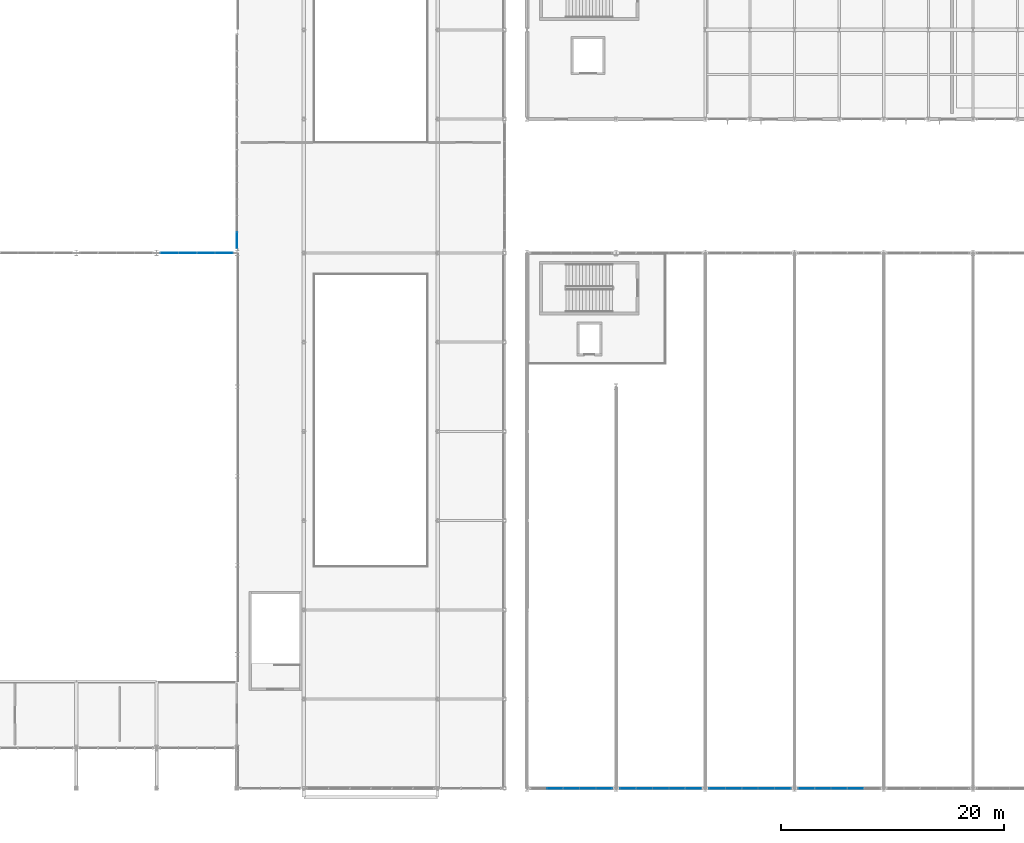
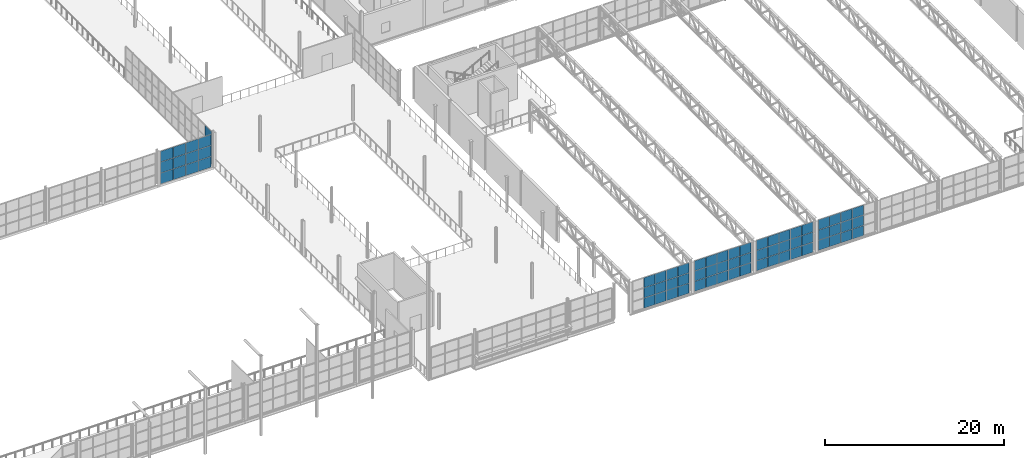
# One storey, part 108 of 143: 69 plates, 6 elements without a shape of their own.
"""IFC4 building model written with IfcOpenShell, lengths in metres."""

from ifc_helpers import new_model, si_unit, derived_unit, direction, frame, origin, origin_2d, place, context, subcontext, project, spatial, rectangle, extrude, material, layer, layer_set, type_object, element, aggregate, save


model = new_model("IFC4")

# Units and contexts
model_context = context("Model", 3, precision=1e-05, world=origin(), true_north=direction((0.0, 1.0)))
body_context = subcontext(model_context, "Body", "Model", "MODEL_VIEW")
ifc_project = project(units=[si_unit("LENGTHUNIT", "METRE"), si_unit("AREAUNIT", "SQUARE_METRE"), si_unit("VOLUMEUNIT", "CUBIC_METRE"), si_unit("PLANEANGLEUNIT", "RADIAN"), si_unit("MASSUNIT", "GRAM", prefix="KILO"), derived_unit("THERMALTRANSMITTANCEUNIT", [(si_unit("POWERUNIT", "WATT"), 1), (si_unit("LENGTHUNIT", "METRE"), -2), (si_unit("THERMODYNAMICTEMPERATUREUNIT", "KELVIN"), -1)])], contexts=[model_context])

# Site, building, storey
site_placement = place(None, origin())
site = spatial("IfcSite", under=ifc_project, at=site_placement, CompositionType="ELEMENT")
building_placement = place(site_placement, origin())
building = spatial("IfcBuilding", under=site, at=building_placement, Name="Keldorne Ridge Multi-Sports Centre", CompositionType="ELEMENT")
storey_placement = place(building_placement, frame((0.0, 0.0, 4.800048828125)))
storey = spatial("IfcBuildingStorey", under=building, at=storey_placement, Name="L01", CompositionType="ELEMENT", Elevation=4.800048828125)

# Curtain wall, plates
ifc_material_1 = material(Name="Anodized aluminium", Category="aluminium")
curtain_wall_type_1 = type_object("IfcCurtainWallType", Name="CW-CW-04", PredefinedType="NOTDEFINED", material=ifc_material_1)
curtain_wall_1_placement = place(storey_placement, origin())
curtain_wall_1 = element("IfcCurtainWall", 1, at=curtain_wall_1_placement, inside=storey, type_object=curtain_wall_type_1, Name="Main Hall north clerestory curtain wall 028", PredefinedType="NOTDEFINED")
ifc_material_2 = material(Name="Double low-e insulated glazing", Category="glass")
ifc_layer = layer(ifc_material_2, 0.035888671875)
ifc_layer_set = layer_set([ifc_layer])
plate_type = type_object("IfcPlateType", Name="PLT-GL-01", PredefinedType="CURTAIN_PANEL", material=ifc_layer_set)
plate_1_placement = place(storey_placement, frame((76.844970703125, 54.0, 0.02001953125), z_axis=(0.0, 0.0, 1.0), x_axis=(-1.0, 0.0, 0.0)))
plate_1 = element("IfcPlate", 2, at=plate_1_placement, type_object=plate_type, Name="CW-028 glazed panel 1.1", PredefinedType="CURTAIN_PANEL", context=body_context, shape_type="SweptSolid", body=[
    extrude(rectangle(XDim=1.590087890625, YDim=0.035888671875, at=origin_2d()), origin(), (0.0, 0.0, 1.0), 1.4599609375),
])
plate_2_placement = place(storey_placement, frame((76.844970703125, 54.0, 1.52001953125), z_axis=(0.0, 0.0, 1.0), x_axis=(-1.0, 0.0, 0.0)))
plate_2 = element("IfcPlate", 3, at=plate_2_placement, type_object=plate_type, Name="CW-028 glazed panel 1.2", PredefinedType="CURTAIN_PANEL", context=body_context, shape_type="SweptSolid", body=[
    extrude(rectangle(XDim=1.590087890625, YDim=0.035888671875, at=origin_2d()), origin(), (0.0, 0.0, 1.0), 1.4599609375),
])
plate_3_placement = place(storey_placement, frame((76.844970703125, 54.0, 3.02001953125), z_axis=(0.0, 0.0, 1.0), x_axis=(-1.0, 0.0, 0.0)))
plate_3 = element("IfcPlate", 4, at=plate_3_placement, type_object=plate_type, Name="CW-028 glazed panel 1.3", PredefinedType="CURTAIN_PANEL", context=body_context, shape_type="SweptSolid", body=[
    extrude(rectangle(XDim=1.590087890625, YDim=0.035888671875, at=origin_2d()), origin(), (0.0, 0.0, 1.0), 1.4599609375),
])
plate_4_placement = place(storey_placement, frame((75.215087890625, 54.0, 0.02001953125), z_axis=(0.0, 0.0, 1.0), x_axis=(-1.0, 0.0, 0.0)))
plate_4 = element("IfcPlate", 5, at=plate_4_placement, type_object=plate_type, Name="CW-028 glazed panel 2.1", PredefinedType="CURTAIN_PANEL", context=body_context, shape_type="SweptSolid", body=[
    extrude(rectangle(XDim=1.590087890625, YDim=0.035888671875, at=origin_2d()), origin(), (0.0, 0.0, 1.0), 1.4599609375),
])
plate_5_placement = place(storey_placement, frame((75.215087890625, 54.0, 1.52001953125), z_axis=(0.0, 0.0, 1.0), x_axis=(-1.0, 0.0, 0.0)))
plate_5 = element("IfcPlate", 6, at=plate_5_placement, type_object=plate_type, Name="CW-028 glazed panel 2.2", PredefinedType="CURTAIN_PANEL", context=body_context, shape_type="SweptSolid", body=[
    extrude(rectangle(XDim=1.590087890625, YDim=0.035888671875, at=origin_2d()), origin(), (0.0, 0.0, 1.0), 1.4599609375),
])
plate_6_placement = place(storey_placement, frame((75.215087890625, 54.0, 3.02001953125), z_axis=(0.0, 0.0, 1.0), x_axis=(-1.0, 0.0, 0.0)))
plate_6 = element("IfcPlate", 7, at=plate_6_placement, type_object=plate_type, Name="CW-028 glazed panel 2.3", PredefinedType="CURTAIN_PANEL", context=body_context, shape_type="SweptSolid", body=[
    extrude(rectangle(XDim=1.590087890625, YDim=0.035888671875, at=origin_2d()), origin(), (0.0, 0.0, 1.0), 1.4599609375),
])
plate_7_placement = place(storey_placement, frame((73.5849609375, 54.0, 0.02001953125), z_axis=(0.0, 0.0, 1.0), x_axis=(-1.0, 0.0, 0.0)))
plate_7 = element("IfcPlate", 8, at=plate_7_placement, type_object=plate_type, Name="CW-028 glazed panel 3.1", PredefinedType="CURTAIN_PANEL", context=body_context, shape_type="SweptSolid", body=[
    extrude(rectangle(XDim=1.590087890625, YDim=0.035888671875, at=origin_2d()), origin(), (0.0, 0.0, 1.0), 1.4599609375),
])
plate_8_placement = place(storey_placement, frame((73.5849609375, 54.0, 1.52001953125), z_axis=(0.0, 0.0, 1.0), x_axis=(-1.0, 0.0, 0.0)))
plate_8 = element("IfcPlate", 9, at=plate_8_placement, type_object=plate_type, Name="CW-028 glazed panel 3.2", PredefinedType="CURTAIN_PANEL", context=body_context, shape_type="SweptSolid", body=[
    extrude(rectangle(XDim=1.590087890625, YDim=0.035888671875, at=origin_2d()), origin(), (0.0, 0.0, 1.0), 1.4599609375),
])
plate_9_placement = place(storey_placement, frame((73.5849609375, 54.0, 3.02001953125), z_axis=(0.0, 0.0, 1.0), x_axis=(-1.0, 0.0, 0.0)))
plate_9 = element("IfcPlate", 10, at=plate_9_placement, type_object=plate_type, Name="CW-028 glazed panel 3.3", PredefinedType="CURTAIN_PANEL", context=body_context, shape_type="SweptSolid", body=[
    extrude(rectangle(XDim=1.590087890625, YDim=0.035888671875, at=origin_2d()), origin(), (0.0, 0.0, 1.0), 1.4599609375),
])
plate_10_placement = place(storey_placement, frame((71.955078125, 54.0, 0.02001953125), z_axis=(0.0, 0.0, 1.0), x_axis=(-1.0, 0.0, 0.0)))
plate_10 = element("IfcPlate", 11, at=plate_10_placement, type_object=plate_type, Name="CW-028 glazed panel 4.1", PredefinedType="CURTAIN_PANEL", context=body_context, shape_type="SweptSolid", body=[
    extrude(rectangle(XDim=1.590087890625, YDim=0.035888671875, at=origin_2d()), origin(), (0.0, 0.0, 1.0), 1.4599609375),
])
plate_11_placement = place(storey_placement, frame((71.955078125, 54.0, 1.52001953125), z_axis=(0.0, 0.0, 1.0), x_axis=(-1.0, 0.0, 0.0)))
plate_11 = element("IfcPlate", 12, at=plate_11_placement, type_object=plate_type, Name="CW-028 glazed panel 4.2", PredefinedType="CURTAIN_PANEL", context=body_context, shape_type="SweptSolid", body=[
    extrude(rectangle(XDim=1.590087890625, YDim=0.035888671875, at=origin_2d()), origin(), (0.0, 0.0, 1.0), 1.4599609375),
])
plate_12_placement = place(storey_placement, frame((71.955078125, 54.0, 3.02001953125), z_axis=(0.0, 0.0, 1.0), x_axis=(-1.0, 0.0, 0.0)))
plate_12 = element("IfcPlate", 13, at=plate_12_placement, type_object=plate_type, Name="CW-028 glazed panel 4.3", PredefinedType="CURTAIN_PANEL", context=body_context, shape_type="SweptSolid", body=[
    extrude(rectangle(XDim=1.590087890625, YDim=0.035888671875, at=origin_2d()), origin(), (0.0, 0.0, 1.0), 1.4599609375),
])
aggregate(curtain_wall_1, [plate_1, plate_2, plate_3, plate_4, plate_5, plate_6, plate_7, plate_8, plate_9, plate_10, plate_11, plate_12])

curtain_wall_2_placement = place(storey_placement, origin())
curtain_wall_2 = element("IfcCurtainWall", 14, at=curtain_wall_2_placement, inside=storey, type_object=curtain_wall_type_1, Name="Passage west courtyard curtain wall L01 084", PredefinedType="NOTDEFINED")
plate_13_placement = place(storey_placement, frame((78.0, 55.138427734375, 0.02001953125), z_axis=(0.0, 0.0, 1.0), x_axis=(0.0, -1.0, 0.0)))
plate_13 = element("IfcPlate", 15, at=plate_13_placement, type_object=plate_type, Name="CW-084 glazed panel 13.1", PredefinedType="CURTAIN_PANEL", context=body_context, shape_type="SweptSolid", body=[
    extrude(rectangle(XDim=1.43701171875, YDim=0.035888671875, at=origin_2d()), origin(), (0.0, 0.0, 1.0), 1.4599609375),
])
plate_14_placement = place(storey_placement, frame((78.0, 55.138427734375, 1.52001953125), z_axis=(0.0, 0.0, 1.0), x_axis=(0.0, -1.0, 0.0)))
plate_14 = element("IfcPlate", 16, at=plate_14_placement, type_object=plate_type, Name="CW-084 glazed panel 13.2", PredefinedType="CURTAIN_PANEL", context=body_context, shape_type="SweptSolid", body=[
    extrude(rectangle(XDim=1.43701171875, YDim=0.035888671875, at=origin_2d()), origin(), (0.0, 0.0, 1.0), 1.4599609375),
])
plate_15_placement = place(storey_placement, frame((78.0, 55.138427734375, 3.02001953125), z_axis=(0.0, 0.0, 1.0), x_axis=(0.0, -1.0, 0.0)))
plate_15 = element("IfcPlate", 17, at=plate_15_placement, type_object=plate_type, Name="CW-084 glazed panel 13.3", PredefinedType="CURTAIN_PANEL", context=body_context, shape_type="SweptSolid", body=[
    extrude(rectangle(XDim=1.43701171875, YDim=0.035888671875, at=origin_2d()), origin(), (0.0, 0.0, 1.0), 1.4599609375),
])
aggregate(curtain_wall_2, [plate_13, plate_14, plate_15])

curtain_wall_type_2 = type_object("IfcCurtainWallType", Name="CW-CW-07", PredefinedType="NOTDEFINED", material=ifc_material_1)
curtain_wall_3_placement = place(storey_placement, origin())
curtain_wall_3 = element("IfcCurtainWall", 18, at=curtain_wall_3_placement, inside=storey, type_object=curtain_wall_type_2, Name="Lower Courts high clerestory 087", PredefinedType="NOTDEFINED")
plate_16_placement = place(storey_placement, frame((106.535888671875, 6.0, 0.02001953125), z_axis=(0.0, 0.0, 1.0), x_axis=(1.0, 0.0, 0.0)))
plate_16 = element("IfcPlate", 19, at=plate_16_placement, type_object=plate_type, Name="CW-087 glazed panel 2.1", PredefinedType="CURTAIN_PANEL", context=body_context, shape_type="SweptSolid", body=[
    extrude(rectangle(XDim=1.424072265625, YDim=0.035888671875, at=origin_2d()), origin(), (0.0, 0.0, 1.0), 1.360107421875),
])
plate_17_placement = place(storey_placement, frame((106.535888671875, 6.0, 1.419921875), z_axis=(0.0, 0.0, 1.0), x_axis=(1.0, 0.0, 0.0)))
plate_17 = element("IfcPlate", 20, at=plate_17_placement, type_object=plate_type, Name="CW-087 glazed panel 2.2", PredefinedType="CURTAIN_PANEL", context=body_context, shape_type="SweptSolid", body=[
    extrude(rectangle(XDim=1.424072265625, YDim=0.035888671875, at=origin_2d()), origin(), (0.0, 0.0, 1.0), 1.360107421875),
])
plate_18_placement = place(storey_placement, frame((106.535888671875, 6.0, 2.81982421875), z_axis=(0.0, 0.0, 1.0), x_axis=(1.0, 0.0, 0.0)))
plate_18 = element("IfcPlate", 21, at=plate_18_placement, type_object=plate_type, Name="CW-087 glazed panel 2.3", PredefinedType="CURTAIN_PANEL", context=body_context, shape_type="SweptSolid", body=[
    extrude(rectangle(XDim=1.424072265625, YDim=0.035888671875, at=origin_2d()), origin(), (0.0, 0.0, 1.0), 1.360107421875),
])
plate_19_placement = place(storey_placement, frame((108.0, 6.0, 0.02001953125), z_axis=(0.0, 0.0, 1.0), x_axis=(1.0, 0.0, 0.0)))
plate_19 = element("IfcPlate", 22, at=plate_19_placement, type_object=plate_type, Name="CW-087 glazed panel 3.1", PredefinedType="CURTAIN_PANEL", context=body_context, shape_type="SweptSolid", body=[
    extrude(rectangle(XDim=1.424072265625, YDim=0.035888671875, at=origin_2d()), origin(), (0.0, 0.0, 1.0), 1.360107421875),
])
plate_20_placement = place(storey_placement, frame((108.0, 6.0, 1.419921875), z_axis=(0.0, 0.0, 1.0), x_axis=(1.0, 0.0, 0.0)))
plate_20 = element("IfcPlate", 23, at=plate_20_placement, type_object=plate_type, Name="CW-087 glazed panel 3.2", PredefinedType="CURTAIN_PANEL", context=body_context, shape_type="SweptSolid", body=[
    extrude(rectangle(XDim=1.424072265625, YDim=0.035888671875, at=origin_2d()), origin(), (0.0, 0.0, 1.0), 1.360107421875),
])
plate_21_placement = place(storey_placement, frame((108.0, 6.0, 2.81982421875), z_axis=(0.0, 0.0, 1.0), x_axis=(1.0, 0.0, 0.0)))
plate_21 = element("IfcPlate", 24, at=plate_21_placement, type_object=plate_type, Name="CW-087 glazed panel 3.3", PredefinedType="CURTAIN_PANEL", context=body_context, shape_type="SweptSolid", body=[
    extrude(rectangle(XDim=1.424072265625, YDim=0.035888671875, at=origin_2d()), origin(), (0.0, 0.0, 1.0), 1.360107421875),
])
plate_22_placement = place(storey_placement, frame((109.464111328125, 6.0, 0.02001953125), z_axis=(0.0, 0.0, 1.0), x_axis=(1.0, 0.0, 0.0)))
plate_22 = element("IfcPlate", 25, at=plate_22_placement, type_object=plate_type, Name="CW-087 glazed panel 4.1", PredefinedType="CURTAIN_PANEL", context=body_context, shape_type="SweptSolid", body=[
    extrude(rectangle(XDim=1.424072265625, YDim=0.035888671875, at=origin_2d()), origin(), (0.0, 0.0, 1.0), 1.360107421875),
])
plate_23_placement = place(storey_placement, frame((109.464111328125, 6.0, 1.419921875), z_axis=(0.0, 0.0, 1.0), x_axis=(1.0, 0.0, 0.0)))
plate_23 = element("IfcPlate", 26, at=plate_23_placement, type_object=plate_type, Name="CW-087 glazed panel 4.2", PredefinedType="CURTAIN_PANEL", context=body_context, shape_type="SweptSolid", body=[
    extrude(rectangle(XDim=1.424072265625, YDim=0.035888671875, at=origin_2d()), origin(), (0.0, 0.0, 1.0), 1.360107421875),
])
plate_24_placement = place(storey_placement, frame((109.464111328125, 6.0, 2.81982421875), z_axis=(0.0, 0.0, 1.0), x_axis=(1.0, 0.0, 0.0)))
plate_24 = element("IfcPlate", 27, at=plate_24_placement, type_object=plate_type, Name="CW-087 glazed panel 4.3", PredefinedType="CURTAIN_PANEL", context=body_context, shape_type="SweptSolid", body=[
    extrude(rectangle(XDim=1.424072265625, YDim=0.035888671875, at=origin_2d()), origin(), (0.0, 0.0, 1.0), 1.360107421875),
])
plate_25_placement = place(storey_placement, frame((110.927978515625, 6.0, 0.02001953125), z_axis=(0.0, 0.0, 1.0), x_axis=(1.0, 0.0, 0.0)))
plate_25 = element("IfcPlate", 28, at=plate_25_placement, type_object=plate_type, Name="CW-087 glazed panel 5.1", PredefinedType="CURTAIN_PANEL", context=body_context, shape_type="SweptSolid", body=[
    extrude(rectangle(XDim=1.424072265625, YDim=0.035888671875, at=origin_2d()), origin(), (0.0, 0.0, 1.0), 1.360107421875),
])
plate_26_placement = place(storey_placement, frame((110.927978515625, 6.0, 1.419921875), z_axis=(0.0, 0.0, 1.0), x_axis=(1.0, 0.0, 0.0)))
plate_26 = element("IfcPlate", 29, at=plate_26_placement, type_object=plate_type, Name="CW-087 glazed panel 5.2", PredefinedType="CURTAIN_PANEL", context=body_context, shape_type="SweptSolid", body=[
    extrude(rectangle(XDim=1.424072265625, YDim=0.035888671875, at=origin_2d()), origin(), (0.0, 0.0, 1.0), 1.360107421875),
])
plate_27_placement = place(storey_placement, frame((110.927978515625, 6.0, 2.81982421875), z_axis=(0.0, 0.0, 1.0), x_axis=(1.0, 0.0, 0.0)))
plate_27 = element("IfcPlate", 30, at=plate_27_placement, type_object=plate_type, Name="CW-087 glazed panel 5.3", PredefinedType="CURTAIN_PANEL", context=body_context, shape_type="SweptSolid", body=[
    extrude(rectangle(XDim=1.424072265625, YDim=0.035888671875, at=origin_2d()), origin(), (0.0, 0.0, 1.0), 1.360107421875),
])
aggregate(curtain_wall_3, [plate_16, plate_17, plate_18, plate_19, plate_20, plate_21, plate_22, plate_23, plate_24, plate_25, plate_26, plate_27])

curtain_wall_type_3 = type_object("IfcCurtainWallType", Name="CW-CW-06", PredefinedType="NOTDEFINED", material=ifc_material_1)
curtain_wall_4_placement = place(storey_placement, origin())
curtain_wall_4 = element("IfcCurtainWall", 31, at=curtain_wall_4_placement, inside=storey, type_object=curtain_wall_type_3, Name="Lower Courts high clerestory 094", PredefinedType="NOTDEFINED")
plate_28_placement = place(storey_placement, frame((113.072021484375, 6.0, 0.02001953125), z_axis=(0.0, 0.0, 1.0), x_axis=(1.0, 0.0, 0.0)))
plate_28 = element("IfcPlate", 32, at=plate_28_placement, type_object=plate_type, Name="CW-094 glazed panel 1.1", PredefinedType="CURTAIN_PANEL", context=body_context, shape_type="SweptSolid", body=[
    extrude(rectangle(XDim=1.424072265625, YDim=0.035888671875, at=origin_2d()), origin(), (0.0, 0.0, 1.0), 1.360107421875),
])
plate_29_placement = place(storey_placement, frame((113.072021484375, 6.0, 1.419921875), z_axis=(0.0, 0.0, 1.0), x_axis=(1.0, 0.0, 0.0)))
plate_29 = element("IfcPlate", 33, at=plate_29_placement, type_object=plate_type, Name="CW-094 glazed panel 1.2", PredefinedType="CURTAIN_PANEL", context=body_context, shape_type="SweptSolid", body=[
    extrude(rectangle(XDim=1.424072265625, YDim=0.035888671875, at=origin_2d()), origin(), (0.0, 0.0, 1.0), 1.360107421875),
])
plate_30_placement = place(storey_placement, frame((113.072021484375, 6.0, 2.81982421875), z_axis=(0.0, 0.0, 1.0), x_axis=(1.0, 0.0, 0.0)))
plate_30 = element("IfcPlate", 34, at=plate_30_placement, type_object=plate_type, Name="CW-094 glazed panel 1.3", PredefinedType="CURTAIN_PANEL", context=body_context, shape_type="SweptSolid", body=[
    extrude(rectangle(XDim=1.424072265625, YDim=0.035888671875, at=origin_2d()), origin(), (0.0, 0.0, 1.0), 1.360107421875),
])
plate_31_placement = place(storey_placement, frame((114.535888671875, 6.0, 0.02001953125), z_axis=(0.0, 0.0, 1.0), x_axis=(1.0, 0.0, 0.0)))
plate_31 = element("IfcPlate", 35, at=plate_31_placement, type_object=plate_type, Name="CW-094 glazed panel 2.1", PredefinedType="CURTAIN_PANEL", context=body_context, shape_type="SweptSolid", body=[
    extrude(rectangle(XDim=1.424072265625, YDim=0.035888671875, at=origin_2d()), origin(), (0.0, 0.0, 1.0), 1.360107421875),
])
plate_32_placement = place(storey_placement, frame((114.535888671875, 6.0, 1.419921875), z_axis=(0.0, 0.0, 1.0), x_axis=(1.0, 0.0, 0.0)))
plate_32 = element("IfcPlate", 36, at=plate_32_placement, type_object=plate_type, Name="CW-094 glazed panel 2.2", PredefinedType="CURTAIN_PANEL", context=body_context, shape_type="SweptSolid", body=[
    extrude(rectangle(XDim=1.424072265625, YDim=0.035888671875, at=origin_2d()), origin(), (0.0, 0.0, 1.0), 1.360107421875),
])
plate_33_placement = place(storey_placement, frame((114.535888671875, 6.0, 2.81982421875), z_axis=(0.0, 0.0, 1.0), x_axis=(1.0, 0.0, 0.0)))
plate_33 = element("IfcPlate", 37, at=plate_33_placement, type_object=plate_type, Name="CW-094 glazed panel 2.3", PredefinedType="CURTAIN_PANEL", context=body_context, shape_type="SweptSolid", body=[
    extrude(rectangle(XDim=1.424072265625, YDim=0.035888671875, at=origin_2d()), origin(), (0.0, 0.0, 1.0), 1.360107421875),
])
plate_34_placement = place(storey_placement, frame((116.0, 6.0, 0.02001953125), z_axis=(0.0, 0.0, 1.0), x_axis=(1.0, 0.0, 0.0)))
plate_34 = element("IfcPlate", 38, at=plate_34_placement, type_object=plate_type, Name="CW-094 glazed panel 3.1", PredefinedType="CURTAIN_PANEL", context=body_context, shape_type="SweptSolid", body=[
    extrude(rectangle(XDim=1.424072265625, YDim=0.035888671875, at=origin_2d()), origin(), (0.0, 0.0, 1.0), 1.360107421875),
])
plate_35_placement = place(storey_placement, frame((116.0, 6.0, 1.419921875), z_axis=(0.0, 0.0, 1.0), x_axis=(1.0, 0.0, 0.0)))
plate_35 = element("IfcPlate", 39, at=plate_35_placement, type_object=plate_type, Name="CW-094 glazed panel 3.2", PredefinedType="CURTAIN_PANEL", context=body_context, shape_type="SweptSolid", body=[
    extrude(rectangle(XDim=1.424072265625, YDim=0.035888671875, at=origin_2d()), origin(), (0.0, 0.0, 1.0), 1.360107421875),
])
plate_36_placement = place(storey_placement, frame((116.0, 6.0, 2.81982421875), z_axis=(0.0, 0.0, 1.0), x_axis=(1.0, 0.0, 0.0)))
plate_36 = element("IfcPlate", 40, at=plate_36_placement, type_object=plate_type, Name="CW-094 glazed panel 3.3", PredefinedType="CURTAIN_PANEL", context=body_context, shape_type="SweptSolid", body=[
    extrude(rectangle(XDim=1.424072265625, YDim=0.035888671875, at=origin_2d()), origin(), (0.0, 0.0, 1.0), 1.360107421875),
])
plate_37_placement = place(storey_placement, frame((117.464111328125, 6.0, 0.02001953125), z_axis=(0.0, 0.0, 1.0), x_axis=(1.0, 0.0, 0.0)))
plate_37 = element("IfcPlate", 41, at=plate_37_placement, type_object=plate_type, Name="CW-094 glazed panel 4.1", PredefinedType="CURTAIN_PANEL", context=body_context, shape_type="SweptSolid", body=[
    extrude(rectangle(XDim=1.424072265625, YDim=0.035888671875, at=origin_2d()), origin(), (0.0, 0.0, 1.0), 1.360107421875),
])
plate_38_placement = place(storey_placement, frame((117.464111328125, 6.0, 1.419921875), z_axis=(0.0, 0.0, 1.0), x_axis=(1.0, 0.0, 0.0)))
plate_38 = element("IfcPlate", 42, at=plate_38_placement, type_object=plate_type, Name="CW-094 glazed panel 4.2", PredefinedType="CURTAIN_PANEL", context=body_context, shape_type="SweptSolid", body=[
    extrude(rectangle(XDim=1.424072265625, YDim=0.035888671875, at=origin_2d()), origin(), (0.0, 0.0, 1.0), 1.360107421875),
])
plate_39_placement = place(storey_placement, frame((117.464111328125, 6.0, 2.81982421875), z_axis=(0.0, 0.0, 1.0), x_axis=(1.0, 0.0, 0.0)))
plate_39 = element("IfcPlate", 43, at=plate_39_placement, type_object=plate_type, Name="CW-094 glazed panel 4.3", PredefinedType="CURTAIN_PANEL", context=body_context, shape_type="SweptSolid", body=[
    extrude(rectangle(XDim=1.424072265625, YDim=0.035888671875, at=origin_2d()), origin(), (0.0, 0.0, 1.0), 1.360107421875),
])
plate_40_placement = place(storey_placement, frame((118.927978515625, 6.0, 0.02001953125), z_axis=(0.0, 0.0, 1.0), x_axis=(1.0, 0.0, 0.0)))
plate_40 = element("IfcPlate", 44, at=plate_40_placement, type_object=plate_type, Name="CW-094 glazed panel 5.1", PredefinedType="CURTAIN_PANEL", context=body_context, shape_type="SweptSolid", body=[
    extrude(rectangle(XDim=1.424072265625, YDim=0.035888671875, at=origin_2d()), origin(), (0.0, 0.0, 1.0), 1.360107421875),
])
plate_41_placement = place(storey_placement, frame((118.927978515625, 6.0, 1.419921875), z_axis=(0.0, 0.0, 1.0), x_axis=(1.0, 0.0, 0.0)))
plate_41 = element("IfcPlate", 45, at=plate_41_placement, type_object=plate_type, Name="CW-094 glazed panel 5.2", PredefinedType="CURTAIN_PANEL", context=body_context, shape_type="SweptSolid", body=[
    extrude(rectangle(XDim=1.424072265625, YDim=0.035888671875, at=origin_2d()), origin(), (0.0, 0.0, 1.0), 1.360107421875),
])
plate_42_placement = place(storey_placement, frame((118.927978515625, 6.0, 2.81982421875), z_axis=(0.0, 0.0, 1.0), x_axis=(1.0, 0.0, 0.0)))
plate_42 = element("IfcPlate", 46, at=plate_42_placement, type_object=plate_type, Name="CW-094 glazed panel 5.3", PredefinedType="CURTAIN_PANEL", context=body_context, shape_type="SweptSolid", body=[
    extrude(rectangle(XDim=1.424072265625, YDim=0.035888671875, at=origin_2d()), origin(), (0.0, 0.0, 1.0), 1.360107421875),
])
aggregate(curtain_wall_4, [plate_28, plate_29, plate_30, plate_31, plate_32, plate_33, plate_34, plate_35, plate_36, plate_37, plate_38, plate_39, plate_40, plate_41, plate_42])

curtain_wall_5_placement = place(storey_placement, origin())
curtain_wall_5 = element("IfcCurtainWall", 47, at=curtain_wall_5_placement, inside=storey, type_object=curtain_wall_type_1, Name="Lower Courts high clerestory 100", PredefinedType="NOTDEFINED")
plate_43_placement = place(storey_placement, frame((121.072021484375, 6.0, 0.02001953125), z_axis=(0.0, 0.0, 1.0), x_axis=(1.0, 0.0, 0.0)))
plate_43 = element("IfcPlate", 48, at=plate_43_placement, type_object=plate_type, Name="CW-100 glazed panel 1.1", PredefinedType="CURTAIN_PANEL", context=body_context, shape_type="SweptSolid", body=[
    extrude(rectangle(XDim=1.424072265625, YDim=0.035888671875, at=origin_2d()), origin(), (0.0, 0.0, 1.0), 1.360107421875),
])
plate_44_placement = place(storey_placement, frame((121.072021484375, 6.0, 1.419921875), z_axis=(0.0, 0.0, 1.0), x_axis=(1.0, 0.0, 0.0)))
plate_44 = element("IfcPlate", 49, at=plate_44_placement, type_object=plate_type, Name="CW-100 glazed panel 1.2", PredefinedType="CURTAIN_PANEL", context=body_context, shape_type="SweptSolid", body=[
    extrude(rectangle(XDim=1.424072265625, YDim=0.035888671875, at=origin_2d()), origin(), (0.0, 0.0, 1.0), 1.360107421875),
])
plate_45_placement = place(storey_placement, frame((121.072021484375, 6.0, 2.81982421875), z_axis=(0.0, 0.0, 1.0), x_axis=(1.0, 0.0, 0.0)))
plate_45 = element("IfcPlate", 50, at=plate_45_placement, type_object=plate_type, Name="CW-100 glazed panel 1.3", PredefinedType="CURTAIN_PANEL", context=body_context, shape_type="SweptSolid", body=[
    extrude(rectangle(XDim=1.424072265625, YDim=0.035888671875, at=origin_2d()), origin(), (0.0, 0.0, 1.0), 1.360107421875),
])
plate_46_placement = place(storey_placement, frame((122.535888671875, 6.0, 0.02001953125), z_axis=(0.0, 0.0, 1.0), x_axis=(1.0, 0.0, 0.0)))
plate_46 = element("IfcPlate", 51, at=plate_46_placement, type_object=plate_type, Name="CW-100 glazed panel 2.1", PredefinedType="CURTAIN_PANEL", context=body_context, shape_type="SweptSolid", body=[
    extrude(rectangle(XDim=1.424072265625, YDim=0.035888671875, at=origin_2d()), origin(), (0.0, 0.0, 1.0), 1.360107421875),
])
plate_47_placement = place(storey_placement, frame((122.535888671875, 6.0, 1.419921875), z_axis=(0.0, 0.0, 1.0), x_axis=(1.0, 0.0, 0.0)))
plate_47 = element("IfcPlate", 52, at=plate_47_placement, type_object=plate_type, Name="CW-100 glazed panel 2.2", PredefinedType="CURTAIN_PANEL", context=body_context, shape_type="SweptSolid", body=[
    extrude(rectangle(XDim=1.424072265625, YDim=0.035888671875, at=origin_2d()), origin(), (0.0, 0.0, 1.0), 1.360107421875),
])
plate_48_placement = place(storey_placement, frame((122.535888671875, 6.0, 2.81982421875), z_axis=(0.0, 0.0, 1.0), x_axis=(1.0, 0.0, 0.0)))
plate_48 = element("IfcPlate", 53, at=plate_48_placement, type_object=plate_type, Name="CW-100 glazed panel 2.3", PredefinedType="CURTAIN_PANEL", context=body_context, shape_type="SweptSolid", body=[
    extrude(rectangle(XDim=1.424072265625, YDim=0.035888671875, at=origin_2d()), origin(), (0.0, 0.0, 1.0), 1.360107421875),
])
plate_49_placement = place(storey_placement, frame((124.0, 6.0, 0.02001953125), z_axis=(0.0, 0.0, 1.0), x_axis=(1.0, 0.0, 0.0)))
plate_49 = element("IfcPlate", 54, at=plate_49_placement, type_object=plate_type, Name="CW-100 glazed panel 3.1", PredefinedType="CURTAIN_PANEL", context=body_context, shape_type="SweptSolid", body=[
    extrude(rectangle(XDim=1.424072265625, YDim=0.035888671875, at=origin_2d()), origin(), (0.0, 0.0, 1.0), 1.360107421875),
])
plate_50_placement = place(storey_placement, frame((124.0, 6.0, 1.419921875), z_axis=(0.0, 0.0, 1.0), x_axis=(1.0, 0.0, 0.0)))
plate_50 = element("IfcPlate", 55, at=plate_50_placement, type_object=plate_type, Name="CW-100 glazed panel 3.2", PredefinedType="CURTAIN_PANEL", context=body_context, shape_type="SweptSolid", body=[
    extrude(rectangle(XDim=1.424072265625, YDim=0.035888671875, at=origin_2d()), origin(), (0.0, 0.0, 1.0), 1.360107421875),
])
plate_51_placement = place(storey_placement, frame((124.0, 6.0, 2.81982421875), z_axis=(0.0, 0.0, 1.0), x_axis=(1.0, 0.0, 0.0)))
plate_51 = element("IfcPlate", 56, at=plate_51_placement, type_object=plate_type, Name="CW-100 glazed panel 3.3", PredefinedType="CURTAIN_PANEL", context=body_context, shape_type="SweptSolid", body=[
    extrude(rectangle(XDim=1.424072265625, YDim=0.035888671875, at=origin_2d()), origin(), (0.0, 0.0, 1.0), 1.360107421875),
])
plate_52_placement = place(storey_placement, frame((125.464111328125, 6.0, 0.02001953125), z_axis=(0.0, 0.0, 1.0), x_axis=(1.0, 0.0, 0.0)))
plate_52 = element("IfcPlate", 57, at=plate_52_placement, type_object=plate_type, Name="CW-100 glazed panel 4.1", PredefinedType="CURTAIN_PANEL", context=body_context, shape_type="SweptSolid", body=[
    extrude(rectangle(XDim=1.424072265625, YDim=0.035888671875, at=origin_2d()), origin(), (0.0, 0.0, 1.0), 1.360107421875),
])
plate_53_placement = place(storey_placement, frame((125.464111328125, 6.0, 1.419921875), z_axis=(0.0, 0.0, 1.0), x_axis=(1.0, 0.0, 0.0)))
plate_53 = element("IfcPlate", 58, at=plate_53_placement, type_object=plate_type, Name="CW-100 glazed panel 4.2", PredefinedType="CURTAIN_PANEL", context=body_context, shape_type="SweptSolid", body=[
    extrude(rectangle(XDim=1.424072265625, YDim=0.035888671875, at=origin_2d()), origin(), (0.0, 0.0, 1.0), 1.360107421875),
])
plate_54_placement = place(storey_placement, frame((125.464111328125, 6.0, 2.81982421875), z_axis=(0.0, 0.0, 1.0), x_axis=(1.0, 0.0, 0.0)))
plate_54 = element("IfcPlate", 59, at=plate_54_placement, type_object=plate_type, Name="CW-100 glazed panel 4.3", PredefinedType="CURTAIN_PANEL", context=body_context, shape_type="SweptSolid", body=[
    extrude(rectangle(XDim=1.424072265625, YDim=0.035888671875, at=origin_2d()), origin(), (0.0, 0.0, 1.0), 1.360107421875),
])
plate_55_placement = place(storey_placement, frame((126.927978515625, 6.0, 0.02001953125), z_axis=(0.0, 0.0, 1.0), x_axis=(1.0, 0.0, 0.0)))
plate_55 = element("IfcPlate", 60, at=plate_55_placement, type_object=plate_type, Name="CW-100 glazed panel 5.1", PredefinedType="CURTAIN_PANEL", context=body_context, shape_type="SweptSolid", body=[
    extrude(rectangle(XDim=1.424072265625, YDim=0.035888671875, at=origin_2d()), origin(), (0.0, 0.0, 1.0), 1.360107421875),
])
plate_56_placement = place(storey_placement, frame((126.927978515625, 6.0, 1.419921875), z_axis=(0.0, 0.0, 1.0), x_axis=(1.0, 0.0, 0.0)))
plate_56 = element("IfcPlate", 61, at=plate_56_placement, type_object=plate_type, Name="CW-100 glazed panel 5.2", PredefinedType="CURTAIN_PANEL", context=body_context, shape_type="SweptSolid", body=[
    extrude(rectangle(XDim=1.424072265625, YDim=0.035888671875, at=origin_2d()), origin(), (0.0, 0.0, 1.0), 1.360107421875),
])
plate_57_placement = place(storey_placement, frame((126.927978515625, 6.0, 2.81982421875), z_axis=(0.0, 0.0, 1.0), x_axis=(1.0, 0.0, 0.0)))
plate_57 = element("IfcPlate", 62, at=plate_57_placement, type_object=plate_type, Name="CW-100 glazed panel 5.3", PredefinedType="CURTAIN_PANEL", context=body_context, shape_type="SweptSolid", body=[
    extrude(rectangle(XDim=1.424072265625, YDim=0.035888671875, at=origin_2d()), origin(), (0.0, 0.0, 1.0), 1.360107421875),
])
aggregate(curtain_wall_5, [plate_43, plate_44, plate_45, plate_46, plate_47, plate_48, plate_49, plate_50, plate_51, plate_52, plate_53, plate_54, plate_55, plate_56, plate_57])

curtain_wall_type_4 = type_object("IfcCurtainWallType", Name="CW-CW-02", PredefinedType="NOTDEFINED", material=ifc_material_1)
curtain_wall_6_placement = place(storey_placement, origin())
curtain_wall_6 = element("IfcCurtainWall", 63, at=curtain_wall_6_placement, inside=storey, type_object=curtain_wall_type_4, Name="Lower Courts high clerestory 106", PredefinedType="NOTDEFINED")
plate_58_placement = place(storey_placement, frame((129.072021484375, 6.0, 0.02001953125), z_axis=(0.0, 0.0, 1.0), x_axis=(1.0, 0.0, 0.0)))
plate_58 = element("IfcPlate", 64, at=plate_58_placement, type_object=plate_type, Name="CW-106 glazed panel 1.1", PredefinedType="CURTAIN_PANEL", context=body_context, shape_type="SweptSolid", body=[
    extrude(rectangle(XDim=1.424072265625, YDim=0.035888671875, at=origin_2d()), origin(), (0.0, 0.0, 1.0), 1.360107421875),
])
plate_59_placement = place(storey_placement, frame((129.072021484375, 6.0, 1.419921875), z_axis=(0.0, 0.0, 1.0), x_axis=(1.0, 0.0, 0.0)))
plate_59 = element("IfcPlate", 65, at=plate_59_placement, type_object=plate_type, Name="CW-106 glazed panel 1.2", PredefinedType="CURTAIN_PANEL", context=body_context, shape_type="SweptSolid", body=[
    extrude(rectangle(XDim=1.424072265625, YDim=0.035888671875, at=origin_2d()), origin(), (0.0, 0.0, 1.0), 1.360107421875),
])
plate_60_placement = place(storey_placement, frame((129.072021484375, 6.0, 2.81982421875), z_axis=(0.0, 0.0, 1.0), x_axis=(1.0, 0.0, 0.0)))
plate_60 = element("IfcPlate", 66, at=plate_60_placement, type_object=plate_type, Name="CW-106 glazed panel 1.3", PredefinedType="CURTAIN_PANEL", context=body_context, shape_type="SweptSolid", body=[
    extrude(rectangle(XDim=1.424072265625, YDim=0.035888671875, at=origin_2d()), origin(), (0.0, 0.0, 1.0), 1.360107421875),
])
plate_61_placement = place(storey_placement, frame((130.535888671875, 6.0, 0.02001953125), z_axis=(0.0, 0.0, 1.0), x_axis=(1.0, 0.0, 0.0)))
plate_61 = element("IfcPlate", 67, at=plate_61_placement, type_object=plate_type, Name="CW-106 glazed panel 2.1", PredefinedType="CURTAIN_PANEL", context=body_context, shape_type="SweptSolid", body=[
    extrude(rectangle(XDim=1.424072265625, YDim=0.035888671875, at=origin_2d()), origin(), (0.0, 0.0, 1.0), 1.360107421875),
])
plate_62_placement = place(storey_placement, frame((130.535888671875, 6.0, 1.419921875), z_axis=(0.0, 0.0, 1.0), x_axis=(1.0, 0.0, 0.0)))
plate_62 = element("IfcPlate", 68, at=plate_62_placement, type_object=plate_type, Name="CW-106 glazed panel 2.2", PredefinedType="CURTAIN_PANEL", context=body_context, shape_type="SweptSolid", body=[
    extrude(rectangle(XDim=1.424072265625, YDim=0.035888671875, at=origin_2d()), origin(), (0.0, 0.0, 1.0), 1.360107421875),
])
plate_63_placement = place(storey_placement, frame((130.535888671875, 6.0, 2.81982421875), z_axis=(0.0, 0.0, 1.0), x_axis=(1.0, 0.0, 0.0)))
plate_63 = element("IfcPlate", 69, at=plate_63_placement, type_object=plate_type, Name="CW-106 glazed panel 2.3", PredefinedType="CURTAIN_PANEL", context=body_context, shape_type="SweptSolid", body=[
    extrude(rectangle(XDim=1.424072265625, YDim=0.035888671875, at=origin_2d()), origin(), (0.0, 0.0, 1.0), 1.360107421875),
])
plate_64_placement = place(storey_placement, frame((132.0, 6.0, 0.02001953125), z_axis=(0.0, 0.0, 1.0), x_axis=(1.0, 0.0, 0.0)))
plate_64 = element("IfcPlate", 70, at=plate_64_placement, type_object=plate_type, Name="CW-106 glazed panel 3.1", PredefinedType="CURTAIN_PANEL", context=body_context, shape_type="SweptSolid", body=[
    extrude(rectangle(XDim=1.424072265625, YDim=0.035888671875, at=origin_2d()), origin(), (0.0, 0.0, 1.0), 1.360107421875),
])
plate_65_placement = place(storey_placement, frame((132.0, 6.0, 1.419921875), z_axis=(0.0, 0.0, 1.0), x_axis=(1.0, 0.0, 0.0)))
plate_65 = element("IfcPlate", 71, at=plate_65_placement, type_object=plate_type, Name="CW-106 glazed panel 3.2", PredefinedType="CURTAIN_PANEL", context=body_context, shape_type="SweptSolid", body=[
    extrude(rectangle(XDim=1.424072265625, YDim=0.035888671875, at=origin_2d()), origin(), (0.0, 0.0, 1.0), 1.360107421875),
])
plate_66_placement = place(storey_placement, frame((132.0, 6.0, 2.81982421875), z_axis=(0.0, 0.0, 1.0), x_axis=(1.0, 0.0, 0.0)))
plate_66 = element("IfcPlate", 72, at=plate_66_placement, type_object=plate_type, Name="CW-106 glazed panel 3.3", PredefinedType="CURTAIN_PANEL", context=body_context, shape_type="SweptSolid", body=[
    extrude(rectangle(XDim=1.424072265625, YDim=0.035888671875, at=origin_2d()), origin(), (0.0, 0.0, 1.0), 1.360107421875),
])
plate_67_placement = place(storey_placement, frame((133.464111328125, 6.0, 0.02001953125), z_axis=(0.0, 0.0, 1.0), x_axis=(1.0, 0.0, 0.0)))
plate_67 = element("IfcPlate", 73, at=plate_67_placement, type_object=plate_type, Name="CW-106 glazed panel 4.1", PredefinedType="CURTAIN_PANEL", context=body_context, shape_type="SweptSolid", body=[
    extrude(rectangle(XDim=1.424072265625, YDim=0.035888671875, at=origin_2d()), origin(), (0.0, 0.0, 1.0), 1.360107421875),
])
plate_68_placement = place(storey_placement, frame((133.464111328125, 6.0, 1.419921875), z_axis=(0.0, 0.0, 1.0), x_axis=(1.0, 0.0, 0.0)))
plate_68 = element("IfcPlate", 74, at=plate_68_placement, type_object=plate_type, Name="CW-106 glazed panel 4.2", PredefinedType="CURTAIN_PANEL", context=body_context, shape_type="SweptSolid", body=[
    extrude(rectangle(XDim=1.424072265625, YDim=0.035888671875, at=origin_2d()), origin(), (0.0, 0.0, 1.0), 1.360107421875),
])
plate_69_placement = place(storey_placement, frame((133.464111328125, 6.0, 2.81982421875), z_axis=(0.0, 0.0, 1.0), x_axis=(1.0, 0.0, 0.0)))
plate_69 = element("IfcPlate", 75, at=plate_69_placement, type_object=plate_type, Name="CW-106 glazed panel 4.3", PredefinedType="CURTAIN_PANEL", context=body_context, shape_type="SweptSolid", body=[
    extrude(rectangle(XDim=1.424072265625, YDim=0.035888671875, at=origin_2d()), origin(), (0.0, 0.0, 1.0), 1.360107421875),
])
aggregate(curtain_wall_6, [plate_58, plate_59, plate_60, plate_61, plate_62, plate_63, plate_64, plate_65, plate_66, plate_67, plate_68, plate_69])

save(model, "model.ifc")
